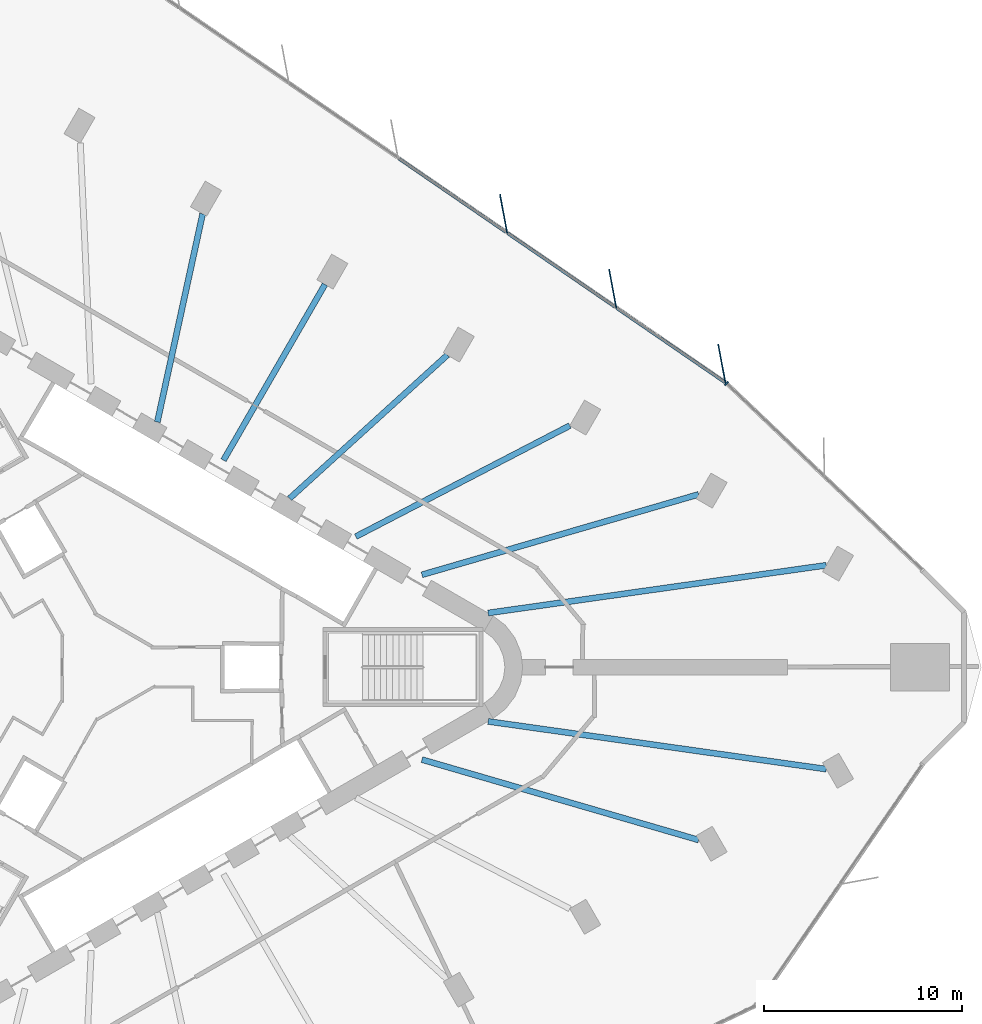
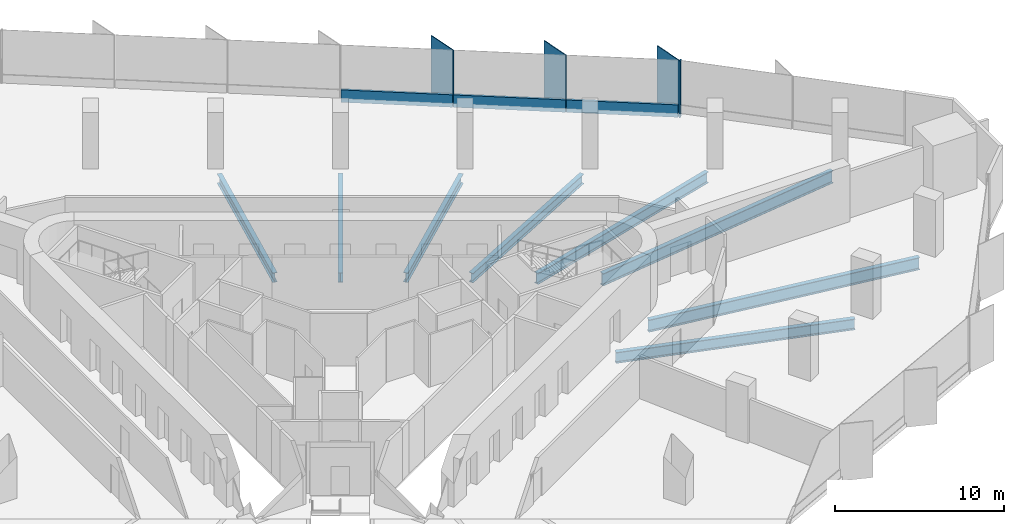
# One storey, part 5 of 14: 8 beams, 7 members, 2 elements without a shape of their own.
"""IFC4 building model written with IfcOpenShell, lengths in metres."""

import ifcopenshell
import ifcopenshell.guid

model = None  # the IFC model being written
_history = None  # IfcOwnerHistory: only IFC2X3 demands one
_inside = {}  # id of a spatial element -> (the spatial element, [elements in it])
_under = {}  # id of a project, library or spatial element -> (it, [spatial elements below it])
_declared = {}  # id of a project -> (the project, [libraries it declares])
_typed = {}  # id of a type object -> (the type object, [elements of that type])
_made_of = {}  # id of a material, layer set ... -> (it, [elements and type objects made of it])


def new_model(schema):
    """Start an empty IFC model of exactly this schema.

    Asked for "IFC4X3", IfcOpenShell would pick the latest addendum, in which some entities
    have other attributes; the version numbers below select the first issue.
    IFC2X3 requires an IfcOwnerHistory on every rooted entity: one is made here for all.
    """
    global model, _history
    if schema == "IFC4X3":
        model = ifcopenshell.file(schema_version=(4, 3, 0, 0))
    else:
        model = ifcopenshell.file(schema=schema)
    _inside.clear()
    _under.clear()
    _declared.clear()
    _typed.clear()
    _made_of.clear()
    _history = None
    if model.schema == "IFC2X3":
        org = make("IfcOrganization", Name="unknown")
        user = make(
            "IfcPersonAndOrganization",
            ThePerson=make("IfcPerson", FamilyName="unknown"),
            TheOrganization=org,
        )
        app = make(
            "IfcApplication",
            ApplicationDeveloper=org,
            Version="unknown",
            ApplicationFullName="unknown",
            ApplicationIdentifier="unknown",
        )
        _history = make(
            "IfcOwnerHistory",
            OwningUser=user,
            OwningApplication=app,
            ChangeAction="ADDED",
            CreationDate=0,
        )
    return model


def make(cls, **values):
    """One entity of the class cls with the attributes given. An attribute that is None is left unset."""
    return model.create_entity(
        cls, **{name: value for name, value in values.items() if value is not None}
    )


def rooted(cls, **values):
    """An entity with a GlobalId (a new one), such as an element, a storey or a relation."""
    return make(cls, GlobalId=ifcopenshell.guid.new(), OwnerHistory=_history, **values)


def si_unit(unit_type, name, prefix=None):
    """IfcSIUnit, for example si_unit("LENGTHUNIT", "METRE", prefix="MILLI")."""
    return make("IfcSIUnit", UnitType=unit_type, Prefix=prefix, Name=name)


def assignment(units):
    """IfcUnitAssignment: the units of a project."""
    return None if units is None else make("IfcUnitAssignment", Units=units)


def point(xyz):
    """IfcCartesianPoint."""
    return None if xyz is None else make("IfcCartesianPoint", Coordinates=xyz)


def direction(xyz):
    """IfcDirection."""
    return None if xyz is None else make("IfcDirection", DirectionRatios=xyz)


def frame(location, z_axis=None, x_axis=None):
    """IfcAxis2Placement3D, a coordinate frame: its origin and axes. An axis left out is left unset."""
    return make(
        "IfcAxis2Placement3D",
        Location=point(location),
        Axis=direction(z_axis),
        RefDirection=direction(x_axis),
    )


def frame_2d(location, x_axis=None):
    """IfcAxis2Placement2D, a coordinate frame in the plane: its origin and x axis."""
    return make(
        "IfcAxis2Placement2D", Location=point(location), RefDirection=direction(x_axis)
    )


def origin():
    """The frame at (0, 0, 0) with its axes left unset."""
    return frame((0.0, 0.0, 0.0))


def origin_2d():
    """The frame at (0, 0) in the plane with its x axis left unset."""
    return frame_2d((0.0, 0.0))


def place(relative_to, where):
    """IfcLocalPlacement: puts the frame where relative to a parent placement (None: the world)."""
    return make(
        "IfcLocalPlacement", PlacementRelTo=relative_to, RelativePlacement=where
    )


def context(
    kind, dimensions, precision=None, world=None, true_north=None, identifier=None
):
    """IfcGeometricRepresentationContext, for example the 3D "Model" context."""
    return make(
        "IfcGeometricRepresentationContext",
        ContextIdentifier=identifier,
        ContextType=kind,
        CoordinateSpaceDimension=dimensions,
        Precision=precision,
        WorldCoordinateSystem=world,
        TrueNorth=true_north,
    )


def subcontext(parent, identifier, kind, view, scale=None):
    """IfcGeometricRepresentationSubContext, for example "Body" below "Model"."""
    return make(
        "IfcGeometricRepresentationSubContext",
        ContextIdentifier=identifier,
        ContextType=kind,
        ParentContext=parent,
        TargetScale=scale,
        TargetView=view,
    )


def project(units=None, contexts=None):
    """IfcProject with its units and contexts."""
    return rooted(
        "IfcProject",
        Name="project",
        RepresentationContexts=contexts,
        UnitsInContext=assignment(units),
    )


def spatial(cls, under=None, at=None, **own):
    """A site, building, storey or space (cls), placed at a placement, below another one or the project."""
    s = rooted(cls, ObjectPlacement=at, **own)
    if under is not None:
        _under.setdefault(under.id(), (under, []))[1].append(s)
    return s


def profile(cls, at=None, kind="AREA", **sizes):
    """A parametric profile (cls). Its sizes go by their IFC names, for example OverallWidth=200.0."""
    return make(cls, ProfileType=kind, Position=at, **sizes)


def rectangle(**sizes):
    """IfcRectangleProfileDef."""
    return profile("IfcRectangleProfileDef", **sizes)


def i_section(**sizes):
    """IfcIShapeProfileDef."""
    return profile("IfcIShapeProfileDef", **sizes)


def extrude(swept, where, along, depth):
    """IfcExtrudedAreaSolid: the profile swept, set in the frame where, extruded along a direction by depth."""
    return make(
        "IfcExtrudedAreaSolid",
        SweptArea=swept,
        Position=where,
        ExtrudedDirection=direction(along),
        Depth=depth,
    )


def shape(context_of_items, identifier, shape_type, items):
    """IfcShapeRepresentation: the items that make up one representation, for example the "Body"."""
    return make(
        "IfcShapeRepresentation",
        ContextOfItems=context_of_items,
        RepresentationIdentifier=identifier,
        RepresentationType=shape_type,
        Items=items,
    )


def material(Name=None, Category=None):
    """IfcMaterial."""
    return make("IfcMaterial", Name=Name, Category=Category)


def material_profile(
    of_material, cross_section, Name=None, Category=None, Priority=None
):
    """IfcMaterialProfile: a cross section and its material."""
    return make(
        "IfcMaterialProfile",
        Name=Name,
        Material=of_material,
        Profile=cross_section,
        Priority=Priority,
        Category=Category,
    )


def profile_set(profiles, Name=None, composite=None):
    """IfcMaterialProfileSet."""
    return make(
        "IfcMaterialProfileSet",
        Name=Name,
        MaterialProfiles=profiles,
        CompositeProfile=composite,
    )


def made_of(thing, what):
    """Note that an element or type object is made of a material, layer set ...; save() writes the relation."""
    if what is not None:
        _made_of.setdefault(what.id(), (what, []))[1].append(thing)
    return thing


def type_object(cls, material=None, **own):
    """A type object (cls), such as IfcWallType, which elements share."""
    return made_of(rooted(cls, **own), material)


def element(
    cls,
    number,
    at=None,
    inside=None,
    cuts=None,
    type_object=None,
    material=None,
    context=None,
    identifier="Body",
    shape_type=None,
    held_by="IfcProductDefinitionShape",
    body=None,
    shapes=None,
    **own,
):
    """One element of the class cls, such as IfcWall. Its Tag is "e" and its number.

    at: its placement. inside: the storey or other place that contains it. cuts: it is an
    opening in that element (IfcRelVoidsElement). A single representation is given by context,
    identifier, shape_type and body (its items); several are given by shapes. held_by: the class
    of the entity that holds the representations. save() writes the other relations.
    """
    e = rooted(cls, Tag="e%d" % number, ObjectPlacement=at, **own)
    if body is not None:
        shapes = [shape(context, identifier, shape_type, body)]
    if shapes is not None:
        e.Representation = make(held_by, Representations=shapes)
    if inside is not None:
        _inside.setdefault(inside.id(), (inside, []))[1].append(e)
    if cuts is not None:
        rooted(
            "IfcRelVoidsElement", RelatingBuildingElement=cuts, RelatedOpeningElement=e
        )
    if type_object is not None:
        _typed.setdefault(type_object.id(), (type_object, []))[1].append(e)
    return made_of(e, material)


def aggregate(whole, parts):
    """IfcRelAggregates: a whole, such as a stair, and the parts it consists of."""
    return rooted("IfcRelAggregates", RelatingObject=whole, RelatedObjects=parts)


def save(model, path):
    """Write the relations noted so far, then the file.

    IfcRelAggregates (storeys below a building ...), IfcRelContainedInSpatialStructure (elements
    in a storey), IfcRelDefinesByType, IfcRelAssociatesMaterial and IfcRelDeclares: one each for
    every whole, place, type object, material and project.
    """
    for whole, parts in _under.values():
        aggregate(whole, parts)
    for where, things in _inside.values():
        rooted(
            "IfcRelContainedInSpatialStructure",
            RelatedElements=things,
            RelatingStructure=where,
        )
    for kind, things in _typed.values():
        rooted("IfcRelDefinesByType", RelatedObjects=things, RelatingType=kind)
    for what, things in _made_of.values():
        rooted("IfcRelAssociatesMaterial", RelatedObjects=things, RelatingMaterial=what)
    for by, libraries in _declared.values():
        rooted("IfcRelDeclares", RelatingContext=by, RelatedDefinitions=libraries)
    model.write(path)


model = new_model("IFC4")

# Units and contexts
model_context = context("Model", 3, precision=1e-05, world=origin(), true_north=direction((0.0, 1.0)))
body_context = subcontext(model_context, "Body", "Model", "MODEL_VIEW")
ifc_project = project(units=[si_unit("LENGTHUNIT", "METRE"), si_unit("AREAUNIT", "SQUARE_METRE"), si_unit("VOLUMEUNIT", "CUBIC_METRE"), si_unit("PLANEANGLEUNIT", "RADIAN"), si_unit("MASSUNIT", "GRAM", prefix="KILO")], contexts=[model_context])

# Site, building, storey
site_placement = place(None, origin())
site = spatial("IfcSite", under=ifc_project, at=site_placement, CompositionType="ELEMENT")
building_placement = place(site_placement, origin())
building = spatial("IfcBuilding", under=site, at=building_placement, Name="Tanit Gate Tower", CompositionType="ELEMENT")
storey_placement = place(building_placement, frame((0.0, 0.0, 86.5)))
storey = spatial("IfcBuildingStorey", under=building, at=storey_placement, Name="L17", CompositionType="ELEMENT", Elevation=86.5)

# Curtain wall, members
ifc_material_1 = material(Name="Aluminium bronze anodised and glass", Category="aluminium")
curtain_wall_type = type_object("IfcCurtainWallType", Name="Curtain wall typical low", PredefinedType="NOTDEFINED", material=ifc_material_1)
curtain_wall_1_placement = place(storey_placement, origin())
curtain_wall_1 = element("IfcCurtainWall", 1, at=curtain_wall_1_placement, inside=storey, type_object=curtain_wall_type, Name="Curtain wall L17 NE2", PredefinedType="NOTDEFINED")
ifc_material_2 = material(Name="Aluminium bronze anodised", Category="aluminium")
ifc_material_profile_1 = material_profile(ifc_material_2, rectangle(XDim=2.0, YDim=0.055908203125, at=origin_2d()), Name="56x2000 bronze fin mullion")
ifc_profile_set_1 = profile_set([ifc_material_profile_1], Name="Aluminium bronze anodised")
member_type_1 = type_object("IfcMemberType", Name="FIN MULLION 56x2000 bronze", PredefinedType="MULLION", material=ifc_profile_set_1)
member_1_placement = place(storey_placement, frame((31.282470703125, 15.37060546875, -0.300048828125), z_axis=(0.0, 0.0, 1.0), x_axis=(0.182983013261, -0.983116074967, 0.0)))
member_1 = element("IfcMember", 2, at=member_1_placement, type_object=member_type_1, Name="Fin mullion L17 NE2.1", PredefinedType="MULLION", context=body_context, shape_type="SweptSolid", body=[
    extrude(rectangle(XDim=2.0, YDim=0.055908203125, at=origin_2d()), origin(), (0.0, 0.0, 1.0), 4.10009765625),
])
member_2_placement = place(storey_placement, frame((25.7578125, 19.161376953125, -0.300048828125), z_axis=(0.0, 0.0, 1.0), x_axis=(0.182983013261, -0.983116074967, 0.0)))
member_2 = element("IfcMember", 3, at=member_2_placement, type_object=member_type_1, Name="Fin mullion L17 NE2.2", PredefinedType="MULLION", context=body_context, shape_type="SweptSolid", body=[
    extrude(rectangle(XDim=2.0, YDim=0.055908203125, at=origin_2d()), origin(), (0.0, 0.0, 1.0), 4.10009765625),
])
member_3_placement = place(storey_placement, frame((20.233154296875, 22.9521484375, -0.300048828125), z_axis=(0.0, 0.0, 1.0), x_axis=(0.182983013261, -0.983116074967, 0.0)))
member_3 = element("IfcMember", 4, at=member_3_placement, type_object=member_type_1, Name="Fin mullion L17 NE2.3", PredefinedType="MULLION", context=body_context, shape_type="SweptSolid", body=[
    extrude(rectangle(XDim=2.0, YDim=0.055908203125, at=origin_2d()), origin(), (0.0, 0.0, 1.0), 4.10009765625),
])

# Curtain wall, member
curtain_wall_2_placement = place(storey_placement, origin())
curtain_wall_2 = element("IfcCurtainWall", 5, at=curtain_wall_2_placement, inside=storey, type_object=curtain_wall_type, Name="Curtain wall L17 NE1", PredefinedType="NOTDEFINED")
ifc_material_3 = material(Name="Aluminium bronze anodised", Category="aluminium")
ifc_material_profile_2 = material_profile(ifc_material_3, rectangle(XDim=0.239990234375, YDim=0.080078125, at=origin_2d()), Name="80x240 bronze mullion")
ifc_profile_set_2 = profile_set([ifc_material_profile_2], Name="Aluminium bronze anodised")
member_type_2 = type_object("IfcMemberType", Name="Mullion 80x240 typical low", PredefinedType="MULLION", material=ifc_profile_set_2)
member_4_placement = place(storey_placement, frame((31.5234375, 14.359375, -0.300048828125), z_axis=(0.0, 0.0, 1.0), x_axis=(-0.689974262306, -0.723833901773, 0.0)))
member_4 = element("IfcMember", 6, at=member_4_placement, type_object=member_type_2, Name="Mullion L17 NE1.3", PredefinedType="MULLION", context=body_context, shape_type="SweptSolid", body=[
    extrude(rectangle(XDim=0.239990234375, YDim=0.080078125, at=origin_2d()), origin(), (0.0, 0.0, 1.0), 4.10009765625),
])
aggregate(curtain_wall_2, [member_4])

# Beams
ifc_material_4 = material(Name="Steel S355", Category="steel")
ifc_material_profile_3 = material_profile(ifc_material_4, i_section(OverallWidth=0.300048828125, OverallDepth=0.68994140625, WebThickness=0.014404296875, FlangeThickness=0.027099609375, FilletRadius=0.027099609375, at=origin_2d()), Name="HEA 700")
ifc_profile_set_3 = profile_set([ifc_material_profile_3], Name="Steel S355")
beam_type_1 = type_object("IfcBeamType", Name="RADIAL GIRDER HEA 700 S355", PredefinedType="BEAM", material=ifc_profile_set_3)
beam_1_placement = place(storey_placement, frame((23.5830078125, 12.23095703125, -0.64501953125), z_axis=(-0.887710923004, -0.460401256709, 0.0), x_axis=(0.460401256709, -0.887710923004, 0.0)))
element("IfcBeam", 7, at=beam_1_placement, inside=storey, type_object=beam_type_1, Name="RADIAL GIRDER", PredefinedType="BEAM", context=body_context, shape_type="SweptSolid", body=[
    extrude(i_section(OverallWidth=0.300048828125, OverallDepth=0.68994140625, WebThickness=0.014404296875, FlangeThickness=0.027099609375, FilletRadius=0.027099609375, at=origin_2d()), origin(), (0.0, 0.0, 1.0), 12.20263671875),
])
beam_2_placement = place(storey_placement, frame((17.382080078125, 15.802978515625, -0.64501953125), z_axis=(-0.739917542408, -0.67269757725, 0.0), x_axis=(0.67269757725, -0.739917542408, 0.0)))
element("IfcBeam", 8, at=beam_2_placement, inside=storey, type_object=beam_type_1, Name="RADIAL GIRDER", PredefinedType="BEAM", context=body_context, shape_type="SweptSolid", body=[
    extrude(i_section(OverallWidth=0.300048828125, OverallDepth=0.68994140625, WebThickness=0.014404296875, FlangeThickness=0.027099609375, FilletRadius=0.027099609375, at=origin_2d()), origin(), (0.0, 0.0, 1.0), 10.786865234375),
])
beam_3_placement = place(storey_placement, frame((11.1884765625, 19.37890625, -0.64501953125), z_axis=(-0.500005608904, -0.866022165458, 0.0), x_axis=(0.866022165458, -0.500005608904, 0.0)))
element("IfcBeam", 9, at=beam_3_placement, inside=storey, type_object=beam_type_1, Name="RADIAL GIRDER", PredefinedType="BEAM", context=body_context, shape_type="SweptSolid", body=[
    extrude(i_section(OverallWidth=0.300048828125, OverallDepth=0.68994140625, WebThickness=0.014404296875, FlangeThickness=0.027099609375, FilletRadius=0.027099609375, at=origin_2d()), origin(), (0.0, 0.0, 1.0), 10.27490234375),
])
beam_4_placement = place(storey_placement, frame((4.994873046875, 22.95458984375, -0.64501953125), z_axis=(-0.212619451543, -0.977135082179, 0.0), x_axis=(0.977135082179, -0.212619451543, 0.0)))
element("IfcBeam", 10, at=beam_4_placement, inside=storey, type_object=beam_type_1, Name="RADIAL GIRDER", PredefinedType="BEAM", context=body_context, shape_type="SweptSolid", body=[
    extrude(i_section(OverallWidth=0.300048828125, OverallDepth=0.68994140625, WebThickness=0.014404296875, FlangeThickness=0.027099609375, FilletRadius=0.027099609375, at=origin_2d()), origin(), (0.0, 0.0, 1.0), 10.78662109375),
])
ifc_material_5 = material(Name="Steel S355", Category="steel")
ifc_material_profile_4 = material_profile(ifc_material_5, i_section(OverallWidth=0.300048828125, OverallDepth=0.7900390625, WebThickness=0.014892578125, FlangeThickness=0.028076171875, FilletRadius=0.030029296875, at=origin_2d()), Name="HEA 800")
ifc_profile_set_4 = profile_set([ifc_material_profile_4], Name="Steel S355")
beam_type_2 = type_object("IfcBeamType", Name="RADIAL GIRDER HEA 800 S355", PredefinedType="BEAM", material=ifc_profile_set_4)
for number, where, z_axis, x_axis, name in (
    (11, (30.10791015625, -8.749755859375, -0.695068359375), (-0.960267984026, 0.279079556498, 0.0), (-0.279079556498, -0.960267984026, 0.0), "RADIAL GIRDER"),
    (12, (30.10791015625, 8.749755859375, -0.695068359375), (-0.960267984026, -0.279079556498, 0.0), (0.279079556498, -0.960267984026, 0.0), "RADIAL GIRDER"),
):
    element("IfcBeam", number, at=place(storey_placement, frame(where, z_axis=z_axis, x_axis=x_axis)), inside=storey, type_object=beam_type_2, Name=name, PredefinedType="BEAM", context=body_context, shape_type="SweptSolid", body=[
        extrude(i_section(OverallWidth=0.300048828125, OverallDepth=0.7900390625, WebThickness=0.014892578125, FlangeThickness=0.028076171875, FilletRadius=0.030029296875, at=origin_2d()), origin(), (0.0, 0.0, 1.0), 14.58740234375),
    ])
ifc_material_6 = material(Name="Steel S355", Category="steel")
ifc_material_profile_5 = material_profile(ifc_material_6, i_section(OverallWidth=0.300048828125, OverallDepth=0.889892578125, WebThickness=0.01611328125, FlangeThickness=0.030029296875, FilletRadius=0.030029296875, at=origin_2d()), Name="HEA 900")
ifc_profile_set_5 = profile_set([ifc_material_profile_5], Name="Steel S355")
beam_type_3 = type_object("IfcBeamType", Name="RADIAL GIRDER HEA 900 S355", PredefinedType="BEAM", material=ifc_profile_set_5)
for number, where, z_axis, x_axis, name in (
    (13, (36.571044921875, -5.1611328125, -0.7451171875), (-0.990188099662, 0.139740929178, 0.0), (-0.139740929178, -0.990188099662, 0.0), "RADIAL GIRDER"),
    (14, (36.571044921875, 5.1611328125, -0.7451171875), (-0.990188099662, -0.139740929178, 0.0), (0.139740929178, -0.990188099662, 0.0), "RADIAL GIRDER"),
):
    element("IfcBeam", number, at=place(storey_placement, frame(where, z_axis=z_axis, x_axis=x_axis)), inside=storey, type_object=beam_type_3, Name=name, PredefinedType="BEAM", context=body_context, shape_type="SweptSolid", body=[
        extrude(i_section(OverallWidth=0.300048828125, OverallDepth=0.889892578125, WebThickness=0.01611328125, FlangeThickness=0.030029296875, FilletRadius=0.030029296875, at=origin_2d()), origin(), (0.0, 0.0, 1.0), 17.291015625),
    ])

# Member
ifc_material_7 = material(Name="Aluminium bronze anodised", Category="aluminium")
ifc_material_profile_6 = material_profile(ifc_material_7, rectangle(XDim=0.159912109375, YDim=0.89990234375, at=origin_2d()), Name="160x900 bronze transom")
ifc_profile_set_6 = profile_set([ifc_material_profile_6], Name="Aluminium bronze anodised")
member_type_3 = type_object("IfcMemberType", Name="Transom 160x900 typical low", PredefinedType="USERDEFINED", material=ifc_profile_set_6)
member_5_placement = place(storey_placement, frame((31.428466796875, 14.432373046875, 0.14990234375), z_axis=(-0.824572049621, 0.565756957522, 0.0), x_axis=(-0.565756957522, -0.824572049621, 0.0)))
member_5 = element("IfcMember", 15, at=member_5_placement, type_object=member_type_3, Name="Transom L17 NE2.1", ObjectType="TRANSOM", PredefinedType="USERDEFINED", context=body_context, shape_type="SweptSolid", body=[
    extrude(rectangle(XDim=0.159912109375, YDim=0.89990234375, at=origin_2d()), origin(), (0.0, 0.0, 1.0), 6.6201171875),
])

member_6_placement = place(storey_placement, frame((25.90380859375, 18.22314453125, 0.14990234375), z_axis=(-0.824554845388, 0.565782031305, 0.0), x_axis=(-0.565782031305, -0.824554845388, 0.0)))
member_6 = element("IfcMember", 16, at=member_6_placement, type_object=member_type_3, Name="Transom L17 NE2.2", ObjectType="TRANSOM", PredefinedType="USERDEFINED", context=body_context, shape_type="SweptSolid", body=[
    extrude(rectangle(XDim=0.159912109375, YDim=0.89990234375, at=origin_2d()), origin(), (0.0, 0.0, 1.0), 6.6201171875),
])

member_7_placement = place(storey_placement, frame((20.379150390625, 22.013916015625, 0.14990234375), z_axis=(-0.824554845388, 0.565782031305, 0.0), x_axis=(-0.565782031305, -0.824554845388, 0.0)))
member_7 = element("IfcMember", 17, at=member_7_placement, type_object=member_type_3, Name="Transom L17 NE2.3", ObjectType="TRANSOM", PredefinedType="USERDEFINED", context=body_context, shape_type="SweptSolid", body=[
    extrude(rectangle(XDim=0.159912109375, YDim=0.89990234375, at=origin_2d()), origin(), (0.0, 0.0, 1.0), 6.6201171875),
])

aggregate(curtain_wall_1, [member_1, member_2, member_3, member_5, member_6, member_7])

save(model, "model.ifc")
